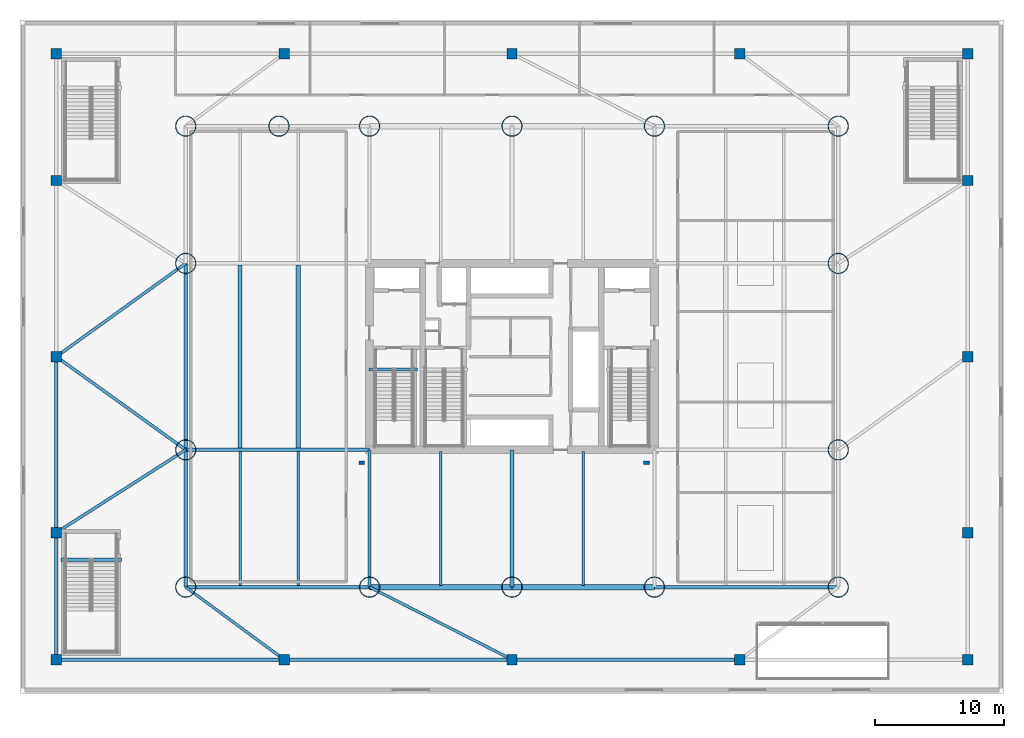
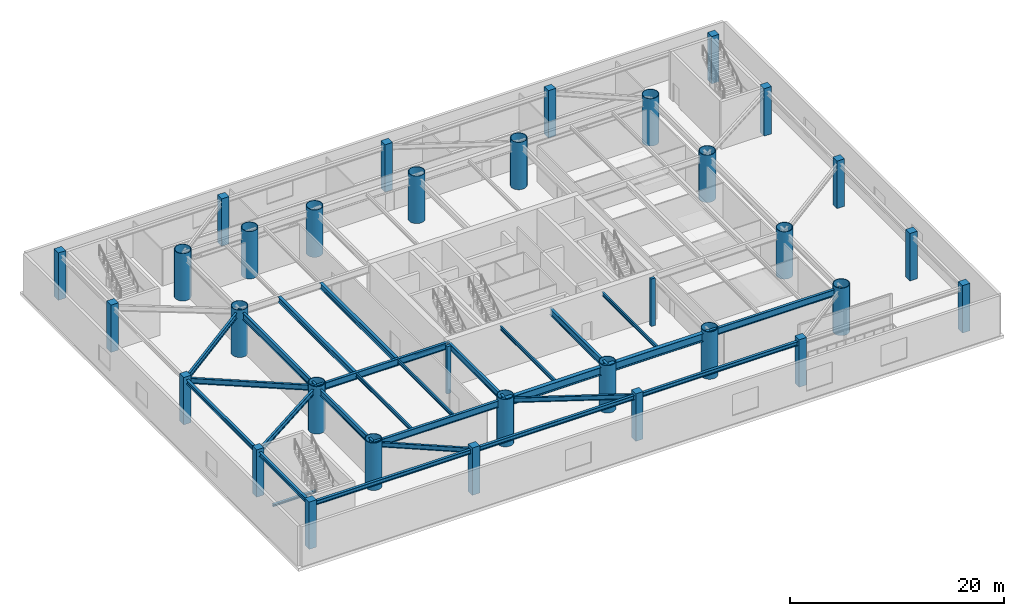
# One storey, part 1 of 16: 33 columns, 27 beams.
"""IFC4 building model written with IfcOpenShell, lengths in metres."""

from ifc_helpers import new_model, si_unit, direction, frame, origin, origin_2d, place, context, subcontext, project, spatial, rectangle, hollow_circle, i_section, extrude, material, material_profile, profile_set, type_object, element, save


model = new_model("IFC4")

# Units and contexts
model_context = context("Model", 3, precision=1e-05, world=origin(), true_north=direction((0.0, 1.0)))
body_context = subcontext(model_context, "Body", "Model", "MODEL_VIEW")
ifc_project = project(units=[si_unit("LENGTHUNIT", "METRE"), si_unit("AREAUNIT", "SQUARE_METRE"), si_unit("VOLUMEUNIT", "CUBIC_METRE"), si_unit("PLANEANGLEUNIT", "RADIAN"), si_unit("MASSUNIT", "GRAM", prefix="KILO")], contexts=[model_context])

# Site, building, storey
site_placement = place(None, origin())
site = spatial("IfcSite", under=ifc_project, at=site_placement, CompositionType="ELEMENT")
building_placement = place(site_placement, origin())
building = spatial("IfcBuilding", under=site, at=building_placement, Name="Bramvorn Convention Spire", CompositionType="ELEMENT")
storey_placement = place(building_placement, frame((0.0, 0.0, 18.60009765625)))
storey = spatial("IfcBuildingStorey", under=building, at=storey_placement, Name="L03", CompositionType="ELEMENT", Elevation=18.60009765625)

# Columns
ifc_material_1 = material(Name="Steel CSA G40.21 Grade 350 (350W)", Category="steel")
ifc_material_profile_1 = material_profile(ifc_material_1, hollow_circle(Radius=0.800048828125, WallThickness=0.06005859375, at=origin_2d()))
ifc_profile_set_1 = profile_set([ifc_material_profile_1], Name="Steel CSA G40.21 Grade 350 (350W) - CFT1600X60")
column_type_1 = type_object("IfcColumnType", Name="COL-CFT1600X60", PredefinedType="COLUMN", material=ifc_profile_set_1)
for number, where, z_axis, x_axis, name in (
    (1, (12.800048828125, 8.199951171875, 0.0), (0.0, 0.0, 1.0), (1.0, 0.0, 0.0), "L03 podium transfer mega-column PR01"),
    (2, (27.0, 8.199951171875, 0.0), (0.0, 0.0, 1.0), (1.0, 0.0, 0.0), "L03 podium transfer mega-column PR02"),
    (3, (38.0, 8.199951171875, 0.0), (0.0, 0.0, 1.0), (1.0, 0.0, 0.0), "L03 podium transfer mega-column PR13"),
    (4, (49.0, 8.199951171875, 0.0), (0.0, 0.0, 1.0), (1.0, 0.0, 0.0), "L03 podium transfer mega-column PR03"),
    (5, (63.199951171875, 8.199951171875, 0.0), (0.0, 0.0, 1.0), (1.0, 0.0, 0.0), "L03 podium transfer mega-column PR04"),
    (6, (12.800048828125, 18.800048828125, 0.0), (0.0, 0.0, 1.0), (1.0, 0.0, 0.0), "L03 podium transfer mega-column PR05"),
    (7, (63.199951171875, 18.800048828125, 0.0), (0.0, 0.0, 1.0), (1.0, 0.0, 0.0), "L03 podium transfer mega-column PR06"),
    (8, (12.800048828125, 33.199951171875, 0.0), (0.0, 0.0, 1.0), (1.0, 0.0, 0.0), "L03 podium transfer mega-column PR07"),
    (9, (63.199951171875, 33.199951171875, 0.0), (0.0, 0.0, 1.0), (1.0, 0.0, 0.0), "L03 podium transfer mega-column PR08"),
    (10, (12.800048828125, 43.800048828125, 0.0), (0.0, 0.0, 1.0), (1.0, 0.0, 0.0), "L03 podium transfer mega-column PR09"),
    (11, (20.0, 43.800048828125, 0.0), (0.0, 0.0, 1.0), (1.0, 0.0, 0.0), "L03 podium transfer mega-column PR15"),
    (12, (27.0, 43.800048828125, 0.0), (0.0, 0.0, 1.0), (1.0, 0.0, 0.0), "L03 podium transfer mega-column PR10"),
    (13, (38.0, 43.800048828125, 0.0), (0.0, 0.0, 1.0), (1.0, 0.0, 0.0), "L03 podium transfer mega-column PR14"),
    (14, (49.0, 43.800048828125, 0.0), (0.0, 0.0, 1.0), (1.0, 0.0, 0.0), "L03 podium transfer mega-column PR11"),
    (15, (63.199951171875, 43.800048828125, 0.0), (0.0, 0.0, 1.0), (1.0, 0.0, 0.0), "L03 podium transfer mega-column PR12"),
):
    element("IfcColumn", number, at=place(storey_placement, frame(where, z_axis=z_axis, x_axis=x_axis)), inside=storey, type_object=column_type_1, Name=name, PredefinedType="COLUMN", context=body_context, shape_type="SweptSolid", body=[
        extrude(hollow_circle(Radius=0.800048828125, WallThickness=0.06005859375, at=origin_2d()), origin(), (0.0, 0.0, 1.0), 5.39990234375),
    ])
ifc_material_2 = material(Name="Concrete C40/50 Precast Limestone Pilaster", Category="masonry")
ifc_material_profile_2 = material_profile(ifc_material_2, rectangle(XDim=0.449951171875, YDim=0.300048828125, at=origin_2d()))
ifc_profile_set_2 = profile_set([ifc_material_profile_2], Name="Concrete C40/50 Precast Limestone Pilaster - PILASTER450X300")
column_type_2 = type_object("IfcColumnType", Name="COL-PILASTER-450", PredefinedType="PILASTER", material=ifc_profile_set_2)
for number, where, z_axis, x_axis, name in (
    (16, (26.39990234375, 17.800048828125, 0.0), (0.0, 0.0, 1.0), (1.0, 0.0, 0.0), "L03 Foyer architectural pilaster 1"),
    (17, (48.39990234375, 17.800048828125, 0.0), (0.0, 0.0, 1.0), (1.0, 0.0, 0.0), "L03 Foyer architectural pilaster 2"),
):
    element("IfcColumn", number, at=place(storey_placement, frame(where, z_axis=z_axis, x_axis=x_axis)), inside=storey, type_object=column_type_2, Name=name, PredefinedType="PILASTER", context=body_context, shape_type="SweptSolid", body=[
        extrude(rectangle(XDim=0.449951171875, YDim=0.300048828125, at=origin_2d()), origin(), (0.0, 0.0, 1.0), 5.39990234375),
    ])
ifc_material_3 = material(Name="Concrete C60/70", Category="concrete")
ifc_material_profile_3 = material_profile(ifc_material_3, rectangle(XDim=0.800048828125, YDim=0.800048828125, at=origin_2d()))
ifc_profile_set_3 = profile_set([ifc_material_profile_3], Name="Concrete C60/70 - RC800X800")
column_type_3 = type_object("IfcColumnType", Name="COL-RC800X800", PredefinedType="COLUMN", material=ifc_profile_set_3)
for number, where, z_axis, x_axis, name in (
    (18, (2.800048828125, 2.60009765625, 0.0), (0.0, 0.0, 1.0), (1.0, 0.0, 0.0), "L03 podium perimeter column PC01"),
    (19, (2.800048828125, 12.39990234375, 0.0), (0.0, 0.0, 1.0), (1.0, 0.0, 0.0), "L03 podium perimeter column PC02"),
    (20, (2.800048828125, 26.0, 0.0), (0.0, 0.0, 1.0), (1.0, 0.0, 0.0), "L03 podium perimeter column PC03"),
    (21, (2.800048828125, 39.60009765625, 0.0), (0.0, 0.0, 1.0), (1.0, 0.0, 0.0), "L03 podium perimeter column PC04"),
    (22, (2.800048828125, 49.39990234375, 0.0), (0.0, 0.0, 1.0), (1.0, 0.0, 0.0), "L03 podium perimeter column PC05"),
    (23, (73.199951171875, 2.60009765625, 0.0), (0.0, 0.0, 1.0), (1.0, 0.0, 0.0), "L03 podium perimeter column PC06"),
    (24, (73.199951171875, 12.39990234375, 0.0), (0.0, 0.0, 1.0), (1.0, 0.0, 0.0), "L03 podium perimeter column PC07"),
    (25, (73.199951171875, 26.0, 0.0), (0.0, 0.0, 1.0), (1.0, 0.0, 0.0), "L03 podium perimeter column PC08"),
    (26, (73.199951171875, 39.60009765625, 0.0), (0.0, 0.0, 1.0), (1.0, 0.0, 0.0), "L03 podium perimeter column PC09"),
    (27, (73.199951171875, 49.39990234375, 0.0), (0.0, 0.0, 1.0), (1.0, 0.0, 0.0), "L03 podium perimeter column PC10"),
    (28, (20.39990234375, 2.60009765625, 0.0), (0.0, 0.0, 1.0), (1.0, 0.0, 0.0), "L03 podium perimeter column PC11"),
    (29, (38.0, 2.60009765625, 0.0), (0.0, 0.0, 1.0), (1.0, 0.0, 0.0), "L03 podium perimeter column PC12"),
    (30, (55.60009765625, 2.60009765625, 0.0), (0.0, 0.0, 1.0), (1.0, 0.0, 0.0), "L03 podium perimeter column PC13"),
    (31, (20.39990234375, 49.39990234375, 0.0), (0.0, 0.0, 1.0), (1.0, 0.0, 0.0), "L03 podium perimeter column PC14"),
    (32, (38.0, 49.39990234375, 0.0), (0.0, 0.0, 1.0), (1.0, 0.0, 0.0), "L03 podium perimeter column PC15"),
    (33, (55.60009765625, 49.39990234375, 0.0), (0.0, 0.0, 1.0), (1.0, 0.0, 0.0), "L03 podium perimeter column PC16"),
):
    element("IfcColumn", number, at=place(storey_placement, frame(where, z_axis=z_axis, x_axis=x_axis)), inside=storey, type_object=column_type_3, Name=name, PredefinedType="COLUMN", context=body_context, shape_type="SweptSolid", body=[
        extrude(rectangle(XDim=0.800048828125, YDim=0.800048828125, at=origin_2d()), origin(), (0.0, 0.0, 1.0), 5.39990234375),
    ])

# Beams
ifc_material_profile_4 = material_profile(ifc_material_1, i_section(OverallWidth=0.25390625, OverallDepth=0.2529296875, WebThickness=0.008544921875, FlangeThickness=0.01416015625, FilletRadius=0.011962890625, at=origin_2d()))
ifc_profile_set_4 = profile_set([ifc_material_profile_4], Name="Steel CSA G40.21 Grade 350 (350W) - W250X73")
beam_type_1 = type_object("IfcBeamType", Name="BM-W250X73", PredefinedType="BEAM", material=ifc_profile_set_4)
beam_1_placement = place(storey_placement, frame((26.949951171875, 25.010009765625, -0.126708984375), z_axis=(1.0, 0.0, 0.0), x_axis=(0.0, 1.0, 0.0)))
element("IfcBeam", 34, at=beam_1_placement, inside=storey, type_object=beam_type_1, Name="L03 ST1 stair arrival header beam", PredefinedType="BEAM", context=body_context, shape_type="SweptSolid", body=[
    extrude(i_section(OverallWidth=0.25390625, OverallDepth=0.2529296875, WebThickness=0.008544921875, FlangeThickness=0.01416015625, FilletRadius=0.011962890625, at=origin_2d()), origin(), (0.0, 0.0, 1.0), 3.739990234375),
])
beam_2_placement = place(storey_placement, frame((3.14990234375, 10.31005859375, -0.126708984375), z_axis=(1.0, 0.0, 0.0), x_axis=(0.0, 1.0, 0.0)))
element("IfcBeam", 35, at=beam_2_placement, inside=storey, type_object=beam_type_1, Name="L03 ST4 stair arrival header beam", PredefinedType="BEAM", context=body_context, shape_type="SweptSolid", body=[
    extrude(i_section(OverallWidth=0.25390625, OverallDepth=0.2529296875, WebThickness=0.008544921875, FlangeThickness=0.01416015625, FilletRadius=0.011962890625, at=origin_2d()), origin(), (0.0, 0.0, 1.0), 4.68017578125),
])
ifc_material_profile_5 = material_profile(ifc_material_1, i_section(OverallWidth=0.180908203125, OverallDepth=0.4169921875, WebThickness=0.010986328125, FlangeThickness=0.018310546875, FilletRadius=0.01611328125, at=origin_2d()))
ifc_profile_set_5 = profile_set([ifc_material_profile_5], Name="Steel CSA G40.21 Grade 350 (350W) - W410X85")
beam_type_2 = type_object("IfcBeamType", Name="BM-W410X85", PredefinedType="JOIST", material=ifc_profile_set_5)
for number, where, z_axis, x_axis, name in (
    (36, (17.0, 8.340087890625, 4.84130859375), (0.0, 1.0, 0.0), (-1.0, 0.0, 0.0), "L03 side hall joist S-1"),
    (37, (21.5, 8.340087890625, 4.84130859375), (0.0, 1.0, 0.0), (-1.0, 0.0, 0.0), "L03 side hall joist S-2"),
    (38, (32.5, 8.340087890625, 4.84130859375), (0.0, 1.0, 0.0), (-1.0, 0.0, 0.0), "L03 south hall composite joist 3"),
    (39, (43.5, 8.340087890625, 4.84130859375), (0.0, 1.0, 0.0), (-1.0, 0.0, 0.0), "L03 south hall composite joist 4"),
):
    element("IfcBeam", number, at=place(storey_placement, frame(where, z_axis=z_axis, x_axis=x_axis)), inside=storey, type_object=beam_type_2, Name=name, PredefinedType="JOIST", context=body_context, shape_type="SweptSolid", body=[
        extrude(i_section(OverallWidth=0.180908203125, OverallDepth=0.4169921875, WebThickness=0.010986328125, FlangeThickness=0.018310546875, FilletRadius=0.01611328125, at=origin_2d()), origin(), (0.0, 0.0, 1.0), 10.31982421875),
    ])
ifc_material_profile_6 = material_profile(ifc_material_1, i_section(OverallWidth=0.283935546875, OverallDepth=0.47607421875, WebThickness=0.014892578125, FlangeThickness=0.02392578125, FilletRadius=0.01806640625, at=origin_2d()))
ifc_profile_set_6 = profile_set([ifc_material_profile_6], Name="Steel CSA G40.21 Grade 350 (350W) - W460X158")
beam_type_3 = type_object("IfcBeamType", Name="BM-W460X158", PredefinedType="SPANDREL", material=ifc_profile_set_6)
beam_3_placement = place(storey_placement, frame((2.800048828125, 2.60009765625, 4.81201171875), z_axis=(1.0, 0.0, 0.0), x_axis=(0.0, 1.0, 0.0)))
element("IfcBeam", 40, at=beam_3_placement, inside=storey, type_object=beam_type_3, Name="L03 podium spandrel beam 01", PredefinedType="SPANDREL", context=body_context, shape_type="SweptSolid", body=[
    extrude(i_section(OverallWidth=0.283935546875, OverallDepth=0.47607421875, WebThickness=0.014892578125, FlangeThickness=0.02392578125, FilletRadius=0.01806640625, at=origin_2d()), origin(), (0.0, 0.0, 1.0), 17.599853515625),
])
for number, where, z_axis, x_axis, name in (
    (41, (20.39990234375, 2.60009765625, 4.81201171875), (1.0, 0.0, 0.0), (0.0, 1.0, 0.0), "L03 podium spandrel beam 02"),
    (42, (38.0, 2.60009765625, 4.81201171875), (1.0, 0.0, 0.0), (0.0, 1.0, 0.0), "L03 podium spandrel beam 03"),
):
    element("IfcBeam", number, at=place(storey_placement, frame(where, z_axis=z_axis, x_axis=x_axis)), inside=storey, type_object=beam_type_3, Name=name, PredefinedType="SPANDREL", context=body_context, shape_type="SweptSolid", body=[
        extrude(i_section(OverallWidth=0.283935546875, OverallDepth=0.47607421875, WebThickness=0.014892578125, FlangeThickness=0.02392578125, FilletRadius=0.01806640625, at=origin_2d()), origin(), (0.0, 0.0, 1.0), 17.60009765625),
    ])
beam_4_placement = place(storey_placement, frame((2.800048828125, 26.0, 4.81201171875), z_axis=(0.0, -1.0, 0.0), x_axis=(1.0, 0.0, 0.0)))
element("IfcBeam", 43, at=beam_4_placement, inside=storey, type_object=beam_type_3, Name="L03 podium spandrel beam 15", PredefinedType="SPANDREL", context=body_context, shape_type="SweptSolid", body=[
    extrude(i_section(OverallWidth=0.283935546875, OverallDepth=0.47607421875, WebThickness=0.014892578125, FlangeThickness=0.02392578125, FilletRadius=0.01806640625, at=origin_2d()), origin(), (0.0, 0.0, 1.0), 13.60009765625),
])
beam_5_placement = place(storey_placement, frame((2.800048828125, 12.39990234375, 4.81201171875), z_axis=(0.0, -1.0, 0.0), x_axis=(1.0, 0.0, 0.0)))
element("IfcBeam", 44, at=beam_5_placement, inside=storey, type_object=beam_type_3, Name="L03 podium spandrel beam 16", PredefinedType="SPANDREL", context=body_context, shape_type="SweptSolid", body=[
    extrude(i_section(OverallWidth=0.283935546875, OverallDepth=0.47607421875, WebThickness=0.014892578125, FlangeThickness=0.02392578125, FilletRadius=0.01806640625, at=origin_2d()), origin(), (0.0, 0.0, 1.0), 9.7998046875),
])
ifc_material_profile_7 = material_profile(ifc_material_1, i_section(OverallWidth=0.2119140625, OverallDepth=0.5439453125, WebThickness=0.01318359375, FlangeThickness=0.021240234375, FilletRadius=0.01904296875, at=origin_2d()))
ifc_profile_set_7 = profile_set([ifc_material_profile_7], Name="Steel CSA G40.21 Grade 350 (350W) - W530X123")
beam_type_4 = type_object("IfcBeamType", Name="BM-W530X123", PredefinedType="BEAM", material=ifc_profile_set_7)
beam_6_placement = place(storey_placement, frame((20.39990234375, 2.60009765625, 4.77783203125), z_axis=(-0.805057787445, 0.593196391488, 0.0), x_axis=(-0.593196391488, -0.805057787445, 0.0)))
element("IfcBeam", 45, at=beam_6_placement, inside=storey, type_object=beam_type_4, Name="L03 podium primary girder 28", PredefinedType="BEAM", context=body_context, shape_type="SweptSolid", body=[
    extrude(i_section(OverallWidth=0.2119140625, OverallDepth=0.5439453125, WebThickness=0.01318359375, FlangeThickness=0.021240234375, FilletRadius=0.01904296875, at=origin_2d()), origin(), (0.0, 0.0, 1.0), 9.440185546875),
])
beam_7_placement = place(storey_placement, frame((38.0, 2.60009765625, 4.77783203125), z_axis=(-0.891167913636, 0.453673615835, 0.0), x_axis=(-0.453673615835, -0.891167913636, 0.0)))
element("IfcBeam", 46, at=beam_7_placement, inside=storey, type_object=beam_type_4, Name="L03 podium primary girder 29", PredefinedType="BEAM", context=body_context, shape_type="SweptSolid", body=[
    extrude(i_section(OverallWidth=0.2119140625, OverallDepth=0.5439453125, WebThickness=0.01318359375, FlangeThickness=0.021240234375, FilletRadius=0.01904296875, at=origin_2d()), origin(), (0.0, 0.0, 1.0), 12.34326171875),
])
ifc_material_profile_8 = material_profile(ifc_material_1, i_section(OverallWidth=0.22998046875, OverallDepth=0.616943359375, WebThickness=0.01318359375, FlangeThickness=0.022216796875, FilletRadius=0.02001953125, at=origin_2d()))
ifc_profile_set_8 = profile_set([ifc_material_profile_8], Name="Steel CSA G40.21 Grade 350 (350W) - W610X140")
beam_type_5 = type_object("IfcBeamType", Name="BM-W610X140", PredefinedType="BEAM", material=ifc_profile_set_8)
for number, where, z_axis, x_axis, name in (
    (47, (2.800048828125, 26.0, 4.741455078125), (0.811536220436, -0.584302116135, 0.0), (0.584302116135, 0.811536220436, 0.0), "L03 podium primary girder 26"),
    (48, (2.800048828125, 26.0, 4.741455078125), (0.811536220436, 0.584302116135, 0.0), (-0.584302116135, 0.811536220436, 0.0), "L03 podium primary girder 27"),
):
    element("IfcBeam", number, at=place(storey_placement, frame(where, z_axis=z_axis, x_axis=x_axis)), inside=storey, type_object=beam_type_5, Name=name, PredefinedType="BEAM", context=body_context, shape_type="SweptSolid", body=[
        extrude(i_section(OverallWidth=0.22998046875, OverallDepth=0.616943359375, WebThickness=0.01318359375, FlangeThickness=0.022216796875, FilletRadius=0.02001953125, at=origin_2d()), origin(), (0.0, 0.0, 1.0), 12.322265625),
    ])
beam_8_placement = place(storey_placement, frame((2.800048828125, 12.39990234375, 4.741455078125), z_axis=(0.842265798855, 0.539062449145, 0.0), x_axis=(-0.539062449145, 0.842265798855, 0.0)))
element("IfcBeam", 49, at=beam_8_placement, inside=storey, type_object=beam_type_5, Name="L03 west podium tie girder 1", PredefinedType="BEAM", context=body_context, shape_type="SweptSolid", body=[
    extrude(i_section(OverallWidth=0.22998046875, OverallDepth=0.616943359375, WebThickness=0.01318359375, FlangeThickness=0.022216796875, FilletRadius=0.02001953125, at=origin_2d()), origin(), (0.0, 0.0, 1.0), 11.872802734375),
])
ifc_material_profile_9 = material_profile(ifc_material_1, i_section(OverallWidth=0.327880859375, OverallDepth=0.6279296875, WebThickness=0.0166015625, FlangeThickness=0.027587890625, FilletRadius=0.02001953125, at=origin_2d()))
ifc_profile_set_9 = profile_set([ifc_material_profile_9], Name="Steel CSA G40.21 Grade 350 (350W) - W610X217")
beam_type_6 = type_object("IfcBeamType", Name="BM-W610X217", PredefinedType="BEAM", material=ifc_profile_set_9)
for number, where, z_axis, x_axis, name in (
    (50, (17.0, 18.93994140625, 4.73583984375), (0.0, 1.0, 0.0), (-1.0, 0.0, 0.0), "L03 main exhibition clear-span joist M-1"),
    (51, (21.5, 18.93994140625, 4.73583984375), (0.0, 1.0, 0.0), (-1.0, 0.0, 0.0), "L03 main exhibition clear-span joist M-2"),
):
    element("IfcBeam", number, at=place(storey_placement, frame(where, z_axis=z_axis, x_axis=x_axis)), inside=storey, type_object=beam_type_6, Name=name, PredefinedType="BEAM", context=body_context, shape_type="SweptSolid", body=[
        extrude(i_section(OverallWidth=0.327880859375, OverallDepth=0.6279296875, WebThickness=0.0166015625, FlangeThickness=0.027587890625, FilletRadius=0.02001953125, at=origin_2d()), origin(), (0.0, 0.0, 1.0), 14.1201171875),
    ])
ifc_material_profile_10 = material_profile(ifc_material_1, i_section(OverallWidth=0.256103515625, OverallDepth=0.693115234375, WebThickness=0.014404296875, FlangeThickness=0.023681640625, FilletRadius=0.02197265625, at=origin_2d()))
ifc_profile_set_10 = profile_set([ifc_material_profile_10], Name="Steel CSA G40.21 Grade 350 (350W) - W690X170")
beam_type_7 = type_object("IfcBeamType", Name="BM-W690X170", PredefinedType="BEAM", material=ifc_profile_set_10)
for number, where, z_axis, x_axis, name in (
    (52, (12.800048828125, 8.199951171875, 4.703369140625), (0.0, 1.0, 0.0), (-1.0, 0.0, 0.0), "L03 podium primary girder 12"),
    (53, (27.0, 8.199951171875, 4.703369140625), (0.0, 1.0, 0.0), (-1.0, 0.0, 0.0), "L03 podium primary girder 22"),
):
    element("IfcBeam", number, at=place(storey_placement, frame(where, z_axis=z_axis, x_axis=x_axis)), inside=storey, type_object=beam_type_7, Name=name, PredefinedType="BEAM", context=body_context, shape_type="SweptSolid", body=[
        extrude(i_section(OverallWidth=0.256103515625, OverallDepth=0.693115234375, WebThickness=0.014404296875, FlangeThickness=0.023681640625, FilletRadius=0.02197265625, at=origin_2d()), origin(), (0.0, 0.0, 1.0), 10.60009765625),
    ])
ifc_material_profile_11 = material_profile(ifc_material_1, i_section(OverallWidth=0.27099609375, OverallDepth=0.76806640625, WebThickness=0.0166015625, FlangeThickness=0.02685546875, FilletRadius=0.02197265625, at=origin_2d()))
ifc_profile_set_11 = profile_set([ifc_material_profile_11], Name="Steel CSA G40.21 Grade 350 (350W) - W760X220")
beam_type_8 = type_object("IfcBeamType", Name="BM-W760X220", PredefinedType="BEAM", material=ifc_profile_set_11)
for number, where, z_axis, x_axis, name in (
    (54, (12.800048828125, 8.199951171875, 4.666015625), (1.0, 0.0, 0.0), (0.0, 1.0, 0.0), "L03 podium primary girder 01"),
    (55, (49.0, 8.199951171875, 4.666015625), (1.0, 0.0, 0.0), (0.0, 1.0, 0.0), "L03 podium primary girder 04"),
):
    element("IfcBeam", number, at=place(storey_placement, frame(where, z_axis=z_axis, x_axis=x_axis)), inside=storey, type_object=beam_type_8, Name=name, PredefinedType="BEAM", context=body_context, shape_type="SweptSolid", body=[
        extrude(i_section(OverallWidth=0.27099609375, OverallDepth=0.76806640625, WebThickness=0.0166015625, FlangeThickness=0.02685546875, FilletRadius=0.02197265625, at=origin_2d()), origin(), (0.0, 0.0, 1.0), 14.199951171875),
    ])
beam_9_placement = place(storey_placement, frame((38.0, 8.199951171875, 4.666015625), z_axis=(0.0, 1.0, 0.0), x_axis=(-1.0, 0.0, 0.0)))
element("IfcBeam", 56, at=beam_9_placement, inside=storey, type_object=beam_type_8, Name="L03 podium primary girder 09", PredefinedType="BEAM", context=body_context, shape_type="SweptSolid", body=[
    extrude(i_section(OverallWidth=0.27099609375, OverallDepth=0.76806640625, WebThickness=0.0166015625, FlangeThickness=0.02685546875, FilletRadius=0.02197265625, at=origin_2d()), origin(), (0.0, 0.0, 1.0), 10.60009765625),
])
beam_10_placement = place(storey_placement, frame((12.800048828125, 18.800048828125, 4.666015625), z_axis=(0.0, 1.0, 0.0), x_axis=(-1.0, 0.0, 0.0)))
element("IfcBeam", 57, at=beam_10_placement, inside=storey, type_object=beam_type_8, Name="L03 podium primary girder 13", PredefinedType="BEAM", context=body_context, shape_type="SweptSolid", body=[
    extrude(i_section(OverallWidth=0.27099609375, OverallDepth=0.76806640625, WebThickness=0.0166015625, FlangeThickness=0.02685546875, FilletRadius=0.02197265625, at=origin_2d()), origin(), (0.0, 0.0, 1.0), 14.39990234375),
])
beam_11_placement = place(storey_placement, frame((12.800048828125, 18.800048828125, 4.666015625), z_axis=(1.0, 0.0, 0.0), x_axis=(0.0, 1.0, 0.0)))
element("IfcBeam", 58, at=beam_11_placement, inside=storey, type_object=beam_type_8, Name="L03 podium primary girder 18", PredefinedType="BEAM", context=body_context, shape_type="SweptSolid", body=[
    extrude(i_section(OverallWidth=0.27099609375, OverallDepth=0.76806640625, WebThickness=0.0166015625, FlangeThickness=0.02685546875, FilletRadius=0.02197265625, at=origin_2d()), origin(), (0.0, 0.0, 1.0), 14.199951171875),
])
ifc_material_profile_12 = material_profile(ifc_material_1, i_section(OverallWidth=0.41796875, OverallDepth=0.912109375, WebThickness=0.019287109375, FlangeThickness=0.031982421875, FilletRadius=0.02392578125, at=origin_2d()))
ifc_profile_set_12 = profile_set([ifc_material_profile_12], Name="Steel CSA G40.21 Grade 350 (350W) - W920X342")
beam_type_9 = type_object("IfcBeamType", Name="BM-W920X342", PredefinedType="BEAM", material=ifc_profile_set_12)
for number, where, z_axis, x_axis, name in (
    (59, (27.0, 8.199951171875, 4.593994140625), (1.0, 0.0, 0.0), (0.0, 1.0, 0.0), "L03 podium primary girder 02"),
    (60, (38.0, 8.199951171875, 4.593994140625), (1.0, 0.0, 0.0), (0.0, 1.0, 0.0), "L03 podium primary girder 03"),
):
    element("IfcBeam", number, at=place(storey_placement, frame(where, z_axis=z_axis, x_axis=x_axis)), inside=storey, type_object=beam_type_9, Name=name, PredefinedType="BEAM", context=body_context, shape_type="SweptSolid", body=[
        extrude(i_section(OverallWidth=0.41796875, OverallDepth=0.912109375, WebThickness=0.019287109375, FlangeThickness=0.031982421875, FilletRadius=0.02392578125, at=origin_2d()), origin(), (0.0, 0.0, 1.0), 11.0),
    ])

save(model, "model.ifc")
